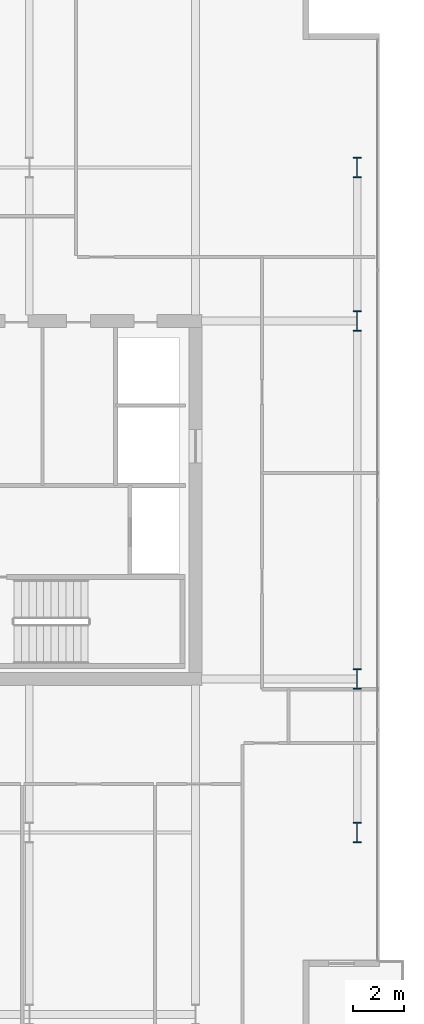
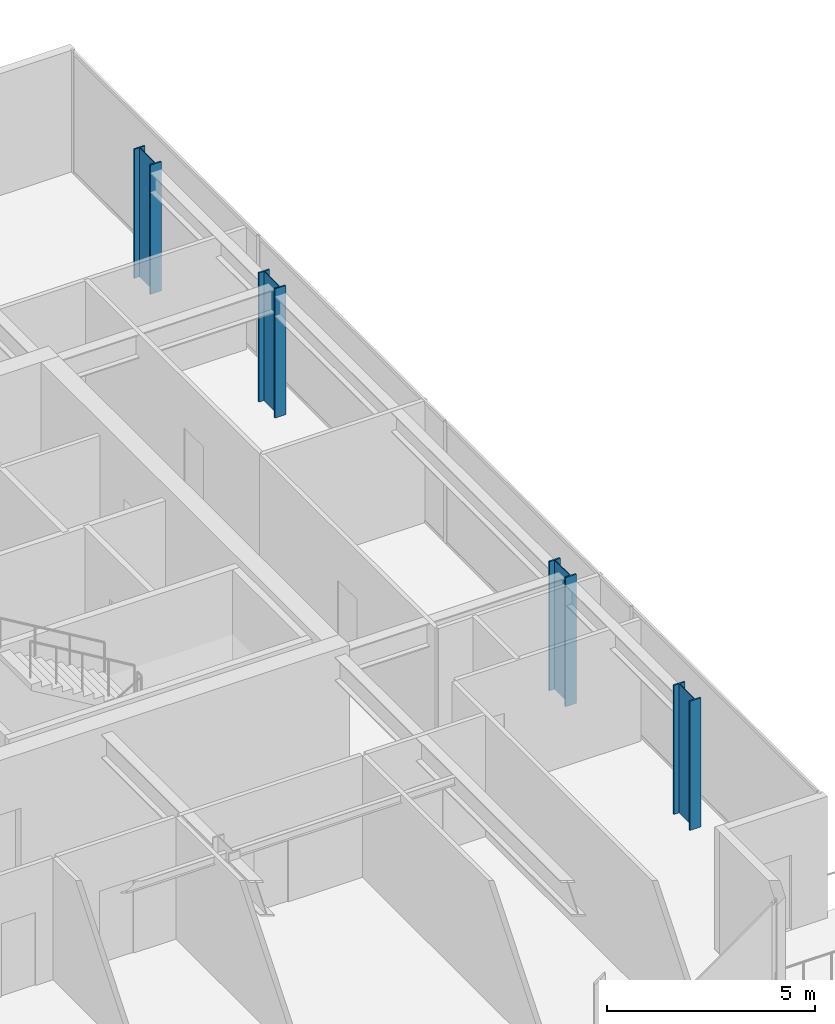
# One storey, part 2 of 24: 4 columns.
"""IFC4 building model written with IfcOpenShell, lengths in metres."""

from ifc_helpers import new_model, si_unit, direction, frame, origin, origin_2d, place, context, subcontext, project, spatial, i_section, extrude, material, material_profile, profile_set, type_object, element, save


model = new_model("IFC4")

# Units and contexts
model_context = context("Model", 3, precision=1e-05, world=origin(), true_north=direction((0.0, 1.0)))
body_context = subcontext(model_context, "Body", "Model", "MODEL_VIEW")
ifc_project = project(units=[si_unit("LENGTHUNIT", "METRE"), si_unit("AREAUNIT", "SQUARE_METRE"), si_unit("VOLUMEUNIT", "CUBIC_METRE"), si_unit("PLANEANGLEUNIT", "RADIAN"), si_unit("MASSUNIT", "GRAM", prefix="KILO")], contexts=[model_context])

# Site, building, storey
site_placement = place(None, origin())
site = spatial("IfcSite", under=ifc_project, at=site_placement, CompositionType="ELEMENT")
building_placement = place(site_placement, origin())
building = spatial("IfcBuilding", under=site, at=building_placement, Name="Putna Gate Headquarters", CompositionType="ELEMENT")
storey_placement = place(building_placement, frame((0.0, 0.0, 244.199951171875)))
storey = spatial("IfcBuildingStorey", under=building, at=storey_placement, Name="L61", CompositionType="ELEMENT", Elevation=244.199951171875)

# Columns
ifc_material = material(Name="Steel S460M", Category="steel")
ifc_material_profile = material_profile(ifc_material, i_section(OverallWidth=0.302978515625, OverallDepth=0.81396484375, WebThickness=0.02099609375, FlangeThickness=0.0400390625, at=origin_2d()), Name="Steel S460M")
ifc_profile_set = profile_set([ifc_material_profile], Name="Steel S460M")
column_type = type_object("IfcColumnType", Name="COL-STL-HEM800-EXT", PredefinedType="COLUMN", material=ifc_profile_set)
for number, where, z_axis, x_axis, name in (
    (1, (71.320068359375, 13.0, 0.0), (0.0, 0.0, 1.0), (1.0, 0.0, 0.0), "L61 Column CP-E13"),
    (2, (71.320068359375, 19.0, 0.0), (0.0, 0.0, 1.0), (1.0, 0.0, 0.0), "L61 Column CP-E19"),
    (3, (71.320068359375, 33.0, 0.0), (0.0, 0.0, 1.0), (1.0, 0.0, 0.0), "L61 Column CP-E33"),
    (4, (71.320068359375, 39.0, 0.0), (0.0, 0.0, 1.0), (1.0, 0.0, 0.0), "L61 Column CP-E39"),
):
    element("IfcColumn", number, at=place(storey_placement, frame(where, z_axis=z_axis, x_axis=x_axis)), inside=storey, type_object=column_type, Name=name, PredefinedType="COLUMN", context=body_context, shape_type="SweptSolid", body=[
        extrude(i_section(OverallWidth=0.302978515625, OverallDepth=0.81396484375, WebThickness=0.02099609375, FlangeThickness=0.0400390625, at=origin_2d()), origin(), (0.0, 0.0, 1.0), 3.800048828125),
    ])

save(model, "model.ifc")
